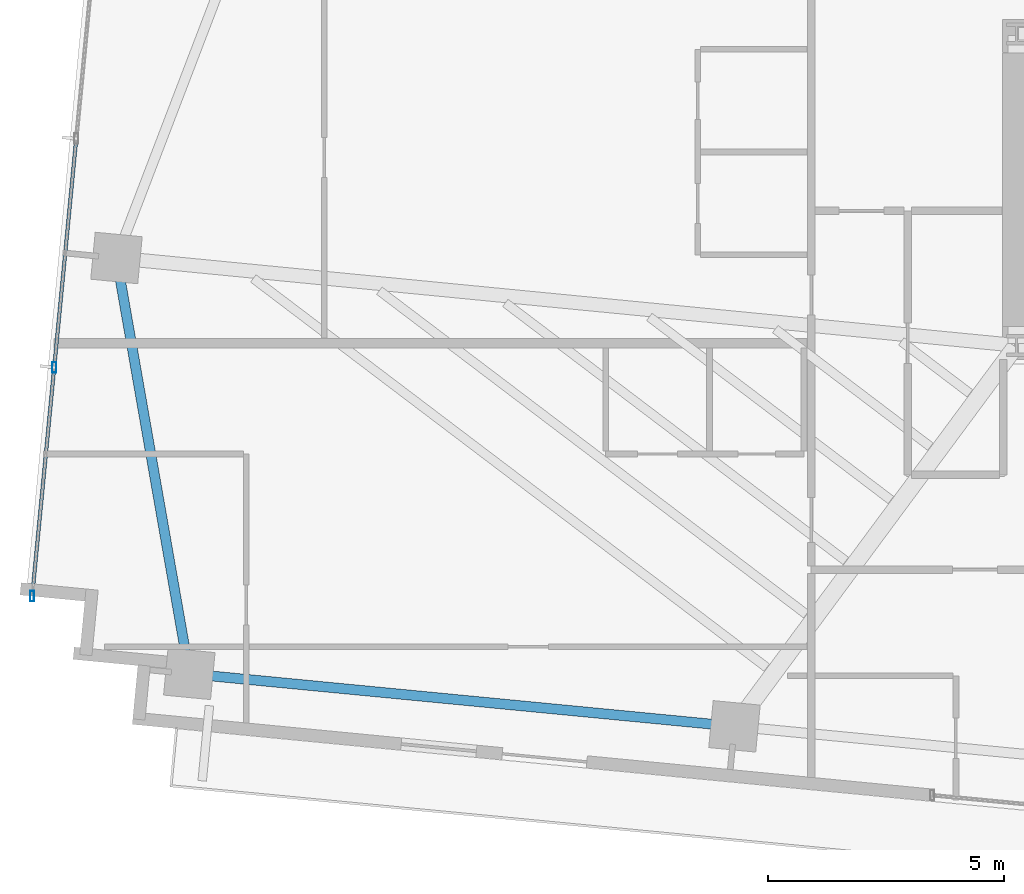
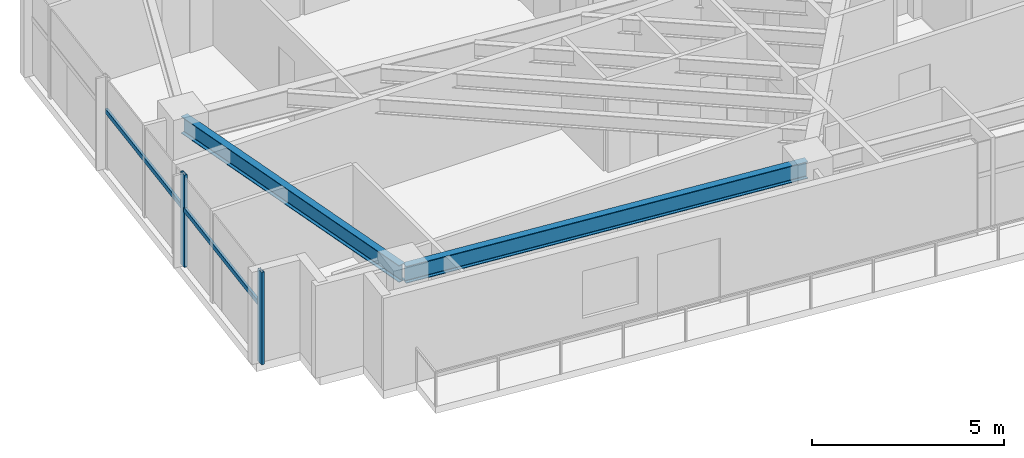
# One storey, part 2 of 20: 4 members, 2 beams, 1 element without a shape of its own.
"""IFC4 building model written with IfcOpenShell, lengths in metres."""

from ifc_helpers import new_model, si_unit, direction, frame, origin, origin_2d, place, context, subcontext, project, spatial, hollow_rectangle, i_section, extrude, source, transform, mapped, material, material_profile, profile_set, type_object, type_shapes, element, aggregate, save


model = new_model("IFC4")

# Units and contexts
model_context = context("Model", 3, precision=1e-05, world=origin(), true_north=direction((0.0, 1.0)))
body_context = subcontext(model_context, "Body", "Model", "MODEL_VIEW")
ifc_project = project(units=[si_unit("LENGTHUNIT", "METRE"), si_unit("AREAUNIT", "SQUARE_METRE"), si_unit("VOLUMEUNIT", "CUBIC_METRE"), si_unit("PLANEANGLEUNIT", "RADIAN"), si_unit("MASSUNIT", "GRAM", prefix="KILO")], contexts=[model_context])

# Site, building, storey
site_placement = place(None, origin())
site = spatial("IfcSite", under=ifc_project, at=site_placement, CompositionType="ELEMENT")
building_placement = place(site_placement, origin())
building = spatial("IfcBuilding", under=site, at=building_placement, Name="Astriad Promenade Condominiums", CompositionType="ELEMENT")
storey_placement = place(building_placement, frame((0.0, 0.0, 137.39990234375)))
storey = spatial("IfcBuildingStorey", under=building, at=storey_placement, Name="L39", CompositionType="ELEMENT", Elevation=137.39990234375)

# Beams
ifc_material_1 = material(Name="Steel ASTM A992 Grade 50", Category="steel")
ifc_material_profile_1 = material_profile(ifc_material_1, i_section(OverallWidth=0.210693359375, OverallDepth=0.53955078125, WebThickness=0.01171875, FlangeThickness=0.018798828125, FilletRadius=0.0166015625, at=origin_2d()), Name="W21X73")
ifc_profile_set_1 = profile_set([ifc_material_profile_1], Name="Steel ASTM A992 Grade 50")
beam_type = type_object("IfcBeamType", Name="STEEL SPANDREL BEAM W21X73", PredefinedType="SPANDREL", material=ifc_profile_set_1)
shared_shape_1 = source(origin(), body_context, "Body", "SweptSolid", [
    extrude(i_section(OverallWidth=0.210693359375, OverallDepth=0.53955078125, WebThickness=0.01171875, FlangeThickness=0.018798828125, FilletRadius=0.0166015625, at=origin_2d()), origin(), (0.0, 0.0, 1.0), 11.52001953125),
])
beam_1_placement = place(storey_placement, frame((8.92041015625, 10.439453125, 2.67041015625), z_axis=(0.9953953902, -0.095854145285, 0.0), x_axis=(0.095854145285, 0.9953953902, 0.0)))
element("IfcBeam", 1, at=beam_1_placement, inside=storey, type_object=beam_type, Name="Perimeter Spandrel Beam SP-S1-L39", PredefinedType="SPANDREL", context=body_context, shape_type="MappedRepresentation", body=[
    mapped(shared_shape_1, transform((0.0, 0.0, 0.0), scale=1.0)),
])
shared_shape_2 = source(origin(), body_context, "Body", "SweptSolid", [
    extrude(i_section(OverallWidth=0.210693359375, OverallDepth=0.53955078125, WebThickness=0.01171875, FlangeThickness=0.018798828125, FilletRadius=0.0166015625, at=origin_2d()), origin(), (0.0, 0.0, 1.0), 8.862548828125),
])
type_shapes(beam_type, [shared_shape_1, shared_shape_2])
beam_2_placement = place(storey_placement, frame((7.3447265625, 19.21240234375, 2.67041015625), z_axis=(0.172528005434, -0.985004612853, 0.0), x_axis=(0.985004612853, 0.172528005434, 0.0)))
element("IfcBeam", 2, at=beam_2_placement, inside=storey, type_object=beam_type, Name="Perimeter Spandrel Beam SP-W1-L39", PredefinedType="SPANDREL", context=body_context, shape_type="MappedRepresentation", body=[
    mapped(shared_shape_2, transform((0.0, 0.0, 0.0), scale=1.0)),
])

# Curtain wall, members
ifc_material_2 = material(Name="Anodised aluminium Black Dark Glass Unitised", Category="aluminium")
curtain_wall_type = type_object("IfcCurtainWallType", Name="CW-B34-DARK", PredefinedType="USERDEFINED", material=ifc_material_2)
curtain_wall_placement = place(storey_placement, origin())
curtain_wall = element("IfcCurtainWall", 3, at=curtain_wall_placement, inside=storey, type_object=curtain_wall_type, Name="CW-L39-W", ObjectType="UNITISED_CURTAIN_WALL", PredefinedType="USERDEFINED")
ifc_material_3 = material(Name="Anodised aluminium 6063-T6 Black", Category="aluminium")
ifc_material_profile_2 = material_profile(ifc_material_3, hollow_rectangle(XDim=0.074951171875, YDim=0.14990234375, WallThickness=0.004150390625, at=origin_2d()), Name="ALU-TRN-75X150")
ifc_profile_set_2 = profile_set([ifc_material_profile_2], Name="Anodised aluminium 6063-T6 Black")
member_type_1 = type_object("IfcMemberType", Name="TRN-ALU-TRN-75X150", PredefinedType="USERDEFINED", material=ifc_profile_set_2)
shared_shape_3 = source(origin(), body_context, "Body", "SweptSolid", [
    extrude(hollow_rectangle(XDim=0.074951171875, YDim=0.14990234375, WallThickness=0.004150390625, at=origin_2d()), origin(), (0.0, 0.0, 1.0), 4.86669921875),
])
type_shapes(member_type_1, [shared_shape_3])
member_1_placement = place(storey_placement, frame((5.552978515625, 12.08984375, 1.822998046875), z_axis=(0.095867260207, 0.995394127178, 0.0), x_axis=(-0.995394127178, 0.095867260207, 0.0)))
member_1 = element("IfcMember", 4, at=member_1_placement, type_object=member_type_1, Name="CW-L39-W-TRN-00-0", ObjectType="TRANSOM", PredefinedType="USERDEFINED", context=body_context, shape_type="MappedRepresentation", body=[
    mapped(shared_shape_3, transform((0.0, 0.0, 0.0), scale=1.0)),
])
member_2_placement = place(storey_placement, frame((6.01953125, 16.93408203125, 1.822998046875), z_axis=(0.095867260207, 0.995394127178, 0.0), x_axis=(-0.995394127178, 0.095867260207, 0.0)))
member_2 = element("IfcMember", 5, at=member_2_placement, type_object=member_type_1, Name="CW-L39-W-TRN-01-0", ObjectType="TRANSOM", PredefinedType="USERDEFINED", context=body_context, shape_type="MappedRepresentation", body=[
    mapped(shared_shape_3, transform((0.0, 0.0, 0.0), scale=1.0)),
])
ifc_material_profile_3 = material_profile(ifc_material_3, hollow_rectangle(XDim=0.0849609375, YDim=0.219970703125, WallThickness=0.0048828125, at=origin_2d()), Name="ALU-MUL-85X220")
ifc_profile_set_3 = profile_set([ifc_material_profile_3], Name="Anodised aluminium 6063-T6 Black")
member_type_2 = type_object("IfcMemberType", Name="MUL-ALU-MUL-85X220", PredefinedType="MULLION", material=ifc_profile_set_3)
shared_shape_4 = source(origin(), body_context, "Body", "SweptSolid", [
    extrude(hollow_rectangle(XDim=0.0849609375, YDim=0.219970703125, WallThickness=0.0048828125, at=origin_2d()), origin(), (0.0, 0.0, 1.0), 2.940185546875),
])
type_shapes(member_type_2, [shared_shape_4])
member_3_placement = place(storey_placement, frame((5.552978515625, 12.08984375, 0.0), z_axis=(0.0, 0.0, 1.0), x_axis=(1.0, 0.0, 0.0)))
member_3 = element("IfcMember", 6, at=member_3_placement, type_object=member_type_2, Name="CW-L39-W-MUL-00", PredefinedType="MULLION", context=body_context, shape_type="MappedRepresentation", body=[
    mapped(shared_shape_4, transform((0.0, 0.0, 0.0), scale=1.0)),
])
member_4_placement = place(storey_placement, frame((6.01953125, 16.93408203125, 0.0), z_axis=(0.0, 0.0, 1.0), x_axis=(1.0, 0.0, 0.0)))
member_4 = element("IfcMember", 7, at=member_4_placement, type_object=member_type_2, Name="CW-L39-W-MUL-01", PredefinedType="MULLION", context=body_context, shape_type="MappedRepresentation", body=[
    mapped(shared_shape_4, transform((0.0, 0.0, 0.0), scale=1.0)),
])
aggregate(curtain_wall, [member_3, member_4, member_1, member_2])

save(model, "model.ifc")
